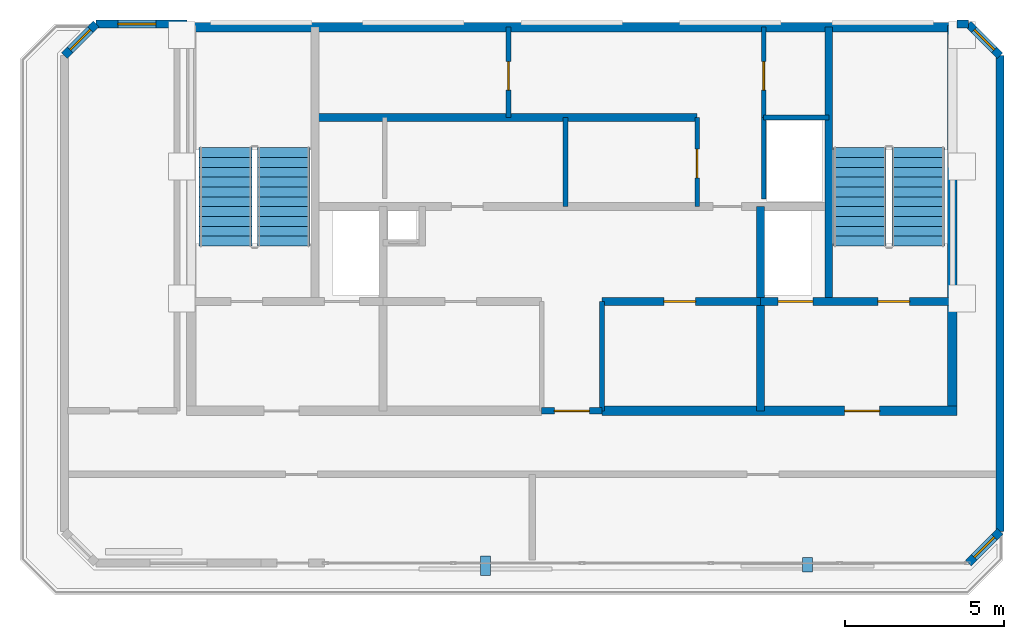
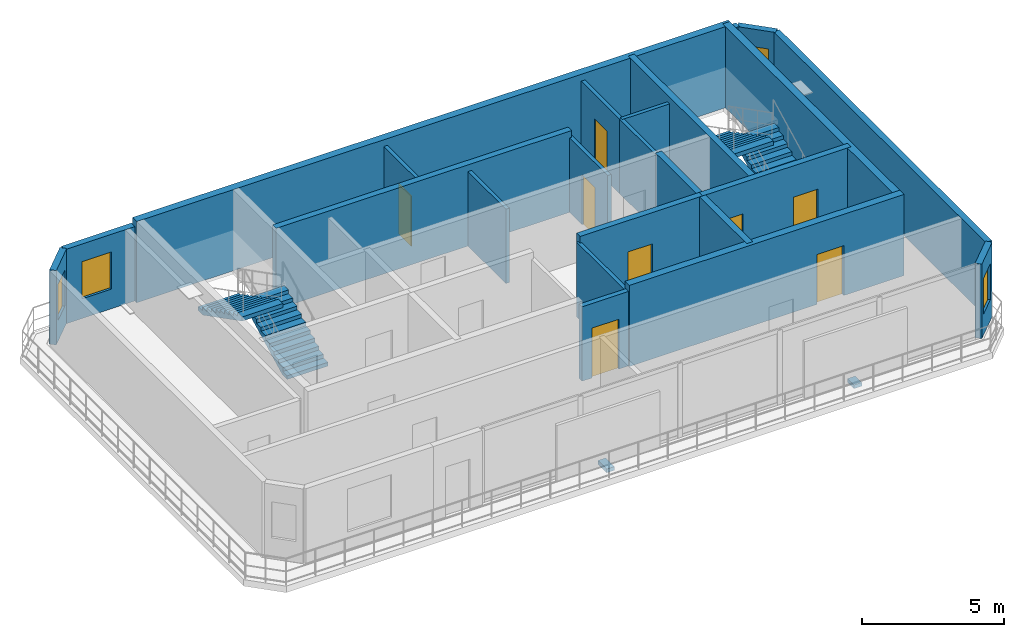
# One storey, part 5 of 6: 22 walls, 8 doors, 4 stair flights, 4 windows, 2 discrete accessories, 12 openings, 2 elements without a shape of their own.
"""IFC4 building model written with IfcOpenShell, lengths in metres."""

from ifc_helpers import new_model, si_unit, direction, frame, frame_2d, origin, origin_2d, place, context, subcontext, project, spatial, polyline, rectangle, outline, extrude, material, layer, layer_set, type_object, element, fill, aggregate, save


model = new_model("IFC4")

# Units and contexts
model_context = context("Model", 3, precision=1e-05, world=origin(), true_north=direction((0.0, 1.0)))
body_context = subcontext(model_context, "Body", "Model", "MODEL_VIEW")
ifc_project = project(units=[si_unit("LENGTHUNIT", "METRE"), si_unit("AREAUNIT", "SQUARE_METRE"), si_unit("VOLUMEUNIT", "CUBIC_METRE"), si_unit("PLANEANGLEUNIT", "RADIAN"), si_unit("MASSUNIT", "GRAM", prefix="KILO")], contexts=[model_context])

# Site, building, storey
site_placement = place(None, origin())
site = spatial("IfcSite", under=ifc_project, at=site_placement, CompositionType="ELEMENT")
building_placement = place(site_placement, origin())
building = spatial("IfcBuilding", under=site, at=building_placement, Name="Catumbela Crestline Tower", CompositionType="ELEMENT")
storey_placement = place(building_placement, frame((0.0, 0.0, 304.5)))
storey = spatial("IfcBuildingStorey", under=building, at=storey_placement, Name="L78", CompositionType="ELEMENT", Elevation=304.5)

# Walls
ifc_material_1 = material(Name="Concrete C50/60", Category="concrete")
ifc_layer_1 = layer(ifc_material_1, 0.25, Name="Concrete C50/60")
ifc_layer_set_1 = layer_set([ifc_layer_1], Name="Concrete C50/60")
wall_type_1 = type_object("IfcWallType", Name="CW-250D", PredefinedType="SHEAR", material=ifc_layer_set_1)
wall_1_placement = place(storey_placement, frame((36.1, 34.25, 0.0), z_axis=(0.0, 0.0, 1.0), x_axis=(0.0, 1.0, 0.0)))
element("IfcWall", 1, at=wall_1_placement, inside=storey, type_object=wall_type_1, Name="L78 Structural Core Shear Wall EWEB", PredefinedType="SHEAR", context=body_context, shape_type="SweptSolid", body=[
    extrude(rectangle(XDim=8.65, YDim=0.25, at=frame_2d((4.325, 0.0))), origin(), (0.0, 0.0, 1.0), 3.5),
])
wall_2_placement = place(storey_placement, frame((33.95, 30.8, 0.0), z_axis=(0.0, 0.0, 1.0), x_axis=(0.0, 1.0, 0.0)))
element("IfcWall", 2, at=wall_2_placement, inside=storey, type_object=wall_type_1, Name="L78 Structural Core Shear Wall FFE", PredefinedType="SHEAR", context=body_context, shape_type="SweptSolid", body=[
    extrude(rectangle(XDim=6.45, YDim=0.25, at=frame_2d((3.225, 0.0))), origin(), (0.0, 0.0, 1.0), 3.5),
])

# Wall, openings, doors
wall_3_placement = place(storey_placement, frame((33.95, 34.25, 0.0), z_axis=(0.0, 0.0, 1.0), x_axis=(1.0, 0.0, 0.0)))
wall_3 = element("IfcWall", 3, at=wall_3_placement, inside=storey, type_object=wall_type_1, Name="L78 Structural Core Shear Wall ST2S", PredefinedType="SHEAR", context=body_context, shape_type="SweptSolid", body=[
    extrude(rectangle(XDim=6.05, YDim=0.25, at=frame_2d((3.025, 0.0))), origin(), (0.0, 0.0, 1.0), 3.5),
])
opening_1_placement = place(wall_3_placement, frame((3.7, 0.0, 0.0)))
opening_1 = element("IfcOpeningElement", 4, at=opening_1_placement, cuts=wall_3, Name="Opening DF9-100", PredefinedType="OPENING", context=body_context, shape_type="SweptSolid", body=[
    extrude(rectangle(XDim=1.0, YDim=2.15, at=frame_2d((0.5, 1.075))), frame((0.0, 0.135, 0.0), z_axis=(0.0, -1.0, 0.0), x_axis=(1.0, 0.0, 0.0)), (0.0, 0.0, 1.0), 0.27),
])
opening_2_placement = place(wall_3_placement, frame((0.55, 0.0, 0.0)))
opening_2 = element("IfcOpeningElement", 5, at=opening_2_placement, cuts=wall_3, Name="Opening LD-110", PredefinedType="OPENING", context=body_context, shape_type="SweptSolid", body=[
    extrude(rectangle(XDim=1.1, YDim=2.15, at=frame_2d((0.55, 1.075))), frame((0.0, 0.135, 0.0), z_axis=(0.0, -1.0, 0.0), x_axis=(1.0, 0.0, 0.0)), (0.0, 0.0, 1.0), 0.27),
])
ifc_material_2 = material(Name="Stainless steel EN 1.4401", Category="steel")
door_type_1 = type_object("IfcDoorType", Name="DF9-100", OperationType="NOTDEFINED", PredefinedType="DOOR", material=ifc_material_2)
door_1_placement = place(opening_1_placement, origin())
door_1 = element("IfcDoor", 6, at=door_1_placement, inside=storey, type_object=door_type_1, Name="L78 Interior Door DR-L78-ST02", OperationType="SINGLE_SWING_RIGHT", OverallHeight=2.15, OverallWidth=1.0, PredefinedType="DOOR", context=body_context, shape_type="SweptSolid", body=[
    extrude(rectangle(XDim=1.0, YDim=2.15, at=frame_2d((0.5, 1.075))), frame((0.0, 0.025, 0.0), z_axis=(0.0, -1.0, 0.0), x_axis=(1.0, 0.0, 0.0)), (0.0, 0.0, 1.0), 0.05),
])
fill(opening_1, door_1)
door_type_2 = type_object("IfcDoorType", Name="LD-110", OperationType="NOTDEFINED", PredefinedType="DOOR", material=ifc_material_2)
door_2_placement = place(opening_2_placement, origin())
door_2 = element("IfcDoor", 7, at=door_2_placement, inside=storey, type_object=door_type_2, Name="L78 Lift Landing Sliding Door FL-02", OperationType="DOUBLE_DOOR_SLIDING", OverallHeight=2.15, OverallWidth=1.1, PredefinedType="DOOR", context=body_context, shape_type="SweptSolid", body=[
    extrude(rectangle(XDim=1.1, YDim=2.15, at=frame_2d((0.55, 1.075))), frame((0.0, 0.025, 0.0), z_axis=(0.0, -1.0, 0.0), x_axis=(1.0, 0.0, 0.0)), (0.0, 0.0, 1.0), 0.05),
])
fill(opening_2, door_2)

# Wall, opening, door
wall_4_placement = place(storey_placement, frame((28.95, 34.25, 0.0), z_axis=(0.0, 0.0, 1.0), x_axis=(1.0, 0.0, 0.0)))
wall_4 = element("IfcWall", 8, at=wall_4_placement, inside=storey, type_object=wall_type_1, Name="L78 Structural Core Shear Wall LIFTS-E", PredefinedType="SHEAR", context=body_context, shape_type="SweptSolid", body=[
    extrude(rectangle(XDim=5.0, YDim=0.25, at=frame_2d((2.5, 0.0))), origin(), (0.0, 0.0, 1.0), 3.5),
])
opening_3_placement = place(wall_4_placement, frame((1.95, 0.0, 0.0)))
opening_3 = element("IfcOpeningElement", 9, at=opening_3_placement, cuts=wall_4, Name="Opening DF9-100", PredefinedType="OPENING", context=body_context, shape_type="SweptSolid", body=[
    extrude(rectangle(XDim=1.0, YDim=2.15, at=frame_2d((0.5, 1.075))), frame((0.0, 0.135, 0.0), z_axis=(0.0, -1.0, 0.0), x_axis=(1.0, 0.0, 0.0)), (0.0, 0.0, 1.0), 0.27),
])
door_3_placement = place(opening_3_placement, origin())
door_3 = element("IfcDoor", 10, at=door_3_placement, inside=storey, type_object=door_type_1, Name="L78 Interior Door DR-L78-RECL2", OperationType="SINGLE_SWING_RIGHT", OverallHeight=2.15, OverallWidth=1.0, PredefinedType="DOOR", context=body_context, shape_type="SweptSolid", body=[
    extrude(rectangle(XDim=1.0, YDim=2.15, at=frame_2d((0.5, 1.075))), frame((0.0, 0.025, 0.0), z_axis=(0.0, -1.0, 0.0), x_axis=(1.0, 0.0, 0.0)), (0.0, 0.0, 1.0), 0.05),
])
fill(opening_3, door_3)

# Walls
wall_5_placement = place(storey_placement, frame((19.9, 40.05, 0.0), z_axis=(0.0, 0.0, 1.0), x_axis=(1.0, 0.0, 0.0)))
element("IfcWall", 11, at=wall_5_placement, inside=storey, type_object=wall_type_1, Name="L78 Structural Core Shear Wall COREN", PredefinedType="SHEAR", context=body_context, shape_type="SweptSolid", body=[
    extrude(rectangle(XDim=12.05, YDim=0.25, at=frame_2d((6.025, 0.0))), origin(), (0.0, 0.0, 1.0), 3.5),
])
ifc_material_3 = material(Name="Concrete C45/55", Category="concrete")
ifc_layer_2 = layer(ifc_material_3, 0.3, Name="Concrete C45/55")
ifc_layer_set_2 = layer_set([ifc_layer_2], Name="Concrete C45/55")
wall_type_2 = type_object("IfcWallType", Name="CW-300C", PredefinedType="SHEAR", material=ifc_layer_set_2)
wall_6_placement = place(storey_placement, frame((40.0, 30.65, 0.0), z_axis=(0.0, 0.0, 1.0), x_axis=(0.0, 1.0, 0.0)))
element("IfcWall", 12, at=wall_6_placement, inside=storey, type_object=wall_type_2, Name="L78 Structural Core Shear Wall E", PredefinedType="SHEAR", context=body_context, shape_type="SweptSolid", body=[
    extrude(rectangle(XDim=12.3, YDim=0.3, at=frame_2d((6.15, 0.0))), origin(), (0.0, 0.0, 1.0), 3.5),
])

# Wall, opening, door
wall_7_placement = place(storey_placement, frame((28.95, 30.8, 0.0), z_axis=(0.0, 0.0, 1.0), x_axis=(1.0, 0.0, 0.0)))
wall_7 = element("IfcWall", 13, at=wall_7_placement, inside=storey, type_object=wall_type_2, Name="L78 Structural Core Shear Wall SE", PredefinedType="SHEAR", context=body_context, shape_type="SweptSolid", body=[
    extrude(rectangle(XDim=11.2, YDim=0.3, at=frame_2d((5.6, 0.0))), origin(), (0.0, 0.0, 1.0), 3.5),
])
opening_4_placement = place(wall_7_placement, frame((7.65, 0.0, 0.0)))
opening_4 = element("IfcOpeningElement", 14, at=opening_4_placement, cuts=wall_7, Name="Opening DF9-110", PredefinedType="OPENING", context=body_context, shape_type="SweptSolid", body=[
    extrude(rectangle(XDim=1.1, YDim=2.15, at=frame_2d((0.55, 1.075))), frame((0.0, 0.16, 0.0), z_axis=(0.0, -1.0, 0.0), x_axis=(1.0, 0.0, 0.0)), (0.0, 0.0, 1.0), 0.32),
])
door_type_3 = type_object("IfcDoorType", Name="DF9-110", OperationType="NOTDEFINED", PredefinedType="DOOR", material=ifc_material_2)
door_4_placement = place(opening_4_placement, origin())
door_4 = element("IfcDoor", 15, at=door_4_placement, inside=storey, type_object=door_type_3, Name="L78 Interior Door DR-L78-FFE-S", OperationType="SINGLE_SWING_RIGHT", OverallHeight=2.15, OverallWidth=1.1, PredefinedType="DOOR", context=body_context, shape_type="SweptSolid", body=[
    extrude(rectangle(XDim=1.1, YDim=2.15, at=frame_2d((0.55, 1.075))), frame((0.0, 0.025, 0.0), z_axis=(0.0, -1.0, 0.0), x_axis=(1.0, 0.0, 0.0)), (0.0, 0.0, 1.0), 0.05),
])
fill(opening_4, door_4)

# Wall
ifc_layer_3 = layer(ifc_material_3, 0.3, Name="Concrete C45/55")
ifc_layer_set_3 = layer_set([ifc_layer_3], Name="Concrete C45/55")
wall_type_3 = type_object("IfcWallType", Name="CW-300E", PredefinedType="SHEAR", material=ifc_layer_set_3)
wall_8_placement = place(storey_placement, frame((15.85, 42.9, 0.0), z_axis=(0.0, 0.0, 1.0), x_axis=(1.0, 0.0, 0.0)))
element("IfcWall", 16, at=wall_8_placement, inside=storey, type_object=wall_type_3, Name="L78 Structural Core Shear Wall N", PredefinedType="SHEAR", context=body_context, shape_type="SweptSolid", body=[
    extrude(rectangle(XDim=24.3, YDim=0.3, at=frame_2d((12.15, 0.0))), origin(), (0.0, 0.0, 1.0), 3.5),
])

# Wall, opening, door
ifc_material_4 = material(Name="Acoustic gypsum and mineral-wool partition")
ifc_layer_4 = layer(ifc_material_4, 0.2, Name="Acoustic gypsum and mineral-wool partition")
ifc_layer_set_4 = layer_set([ifc_layer_4], Name="Acoustic gypsum and mineral-wool partition")
wall_type_4 = type_object("IfcWallType", Name="WC-200", PredefinedType="PARTITIONING", material=ifc_layer_set_4)
wall_9_placement = place(storey_placement, frame((27.05, 30.8, 0.0), z_axis=(0.0, 0.0, 1.0), x_axis=(1.0, 0.0, 0.0)))
wall_9 = element("IfcWall", 17, at=wall_9_placement, inside=storey, type_object=wall_type_4, Name="L78 Interior Partition PW-L78-CLOBS", PredefinedType="PARTITIONING", context=body_context, shape_type="SweptSolid", body=[
    extrude(rectangle(XDim=1.9, YDim=0.2, at=frame_2d((0.95, 0.0))), origin(), (0.0, 0.0, 1.0), 3.21),
])
opening_5_placement = place(wall_9_placement, frame((0.4, 0.0, 0.0)))
opening_5 = element("IfcOpeningElement", 18, at=opening_5_placement, cuts=wall_9, Name="Opening DF9-110", PredefinedType="OPENING", context=body_context, shape_type="SweptSolid", body=[
    extrude(rectangle(XDim=1.1, YDim=2.15, at=frame_2d((0.55, 1.075))), frame((0.0, 0.11, 0.0), z_axis=(0.0, -1.0, 0.0), x_axis=(1.0, 0.0, 0.0)), (0.0, 0.0, 1.0), 0.22),
])
door_5_placement = place(opening_5_placement, origin())
door_5 = element("IfcDoor", 19, at=door_5_placement, inside=storey, type_object=door_type_3, Name="L78 Interior Door DR-L78-CLOBS", OperationType="SINGLE_SWING_LEFT", OverallHeight=2.15, OverallWidth=1.1, PredefinedType="DOOR", context=body_context, shape_type="SweptSolid", body=[
    extrude(rectangle(XDim=1.1, YDim=2.15, at=frame_2d((0.55, 1.075))), frame((0.0, 0.025, 0.0), z_axis=(0.0, -1.0, 0.0), x_axis=(1.0, 0.0, 0.0)), (0.0, 0.0, 1.0), 0.05),
])
fill(opening_5, door_5)

# Wall, opening, window
ifc_material_5 = material(Name="Angolan grey-ochre granite", Category="masonry")
ifc_layer_5 = layer(ifc_material_5, 0.25, Name="Angolan grey-ochre granite")
ifc_layer_set_5 = layer_set([ifc_layer_5], Name="Angolan grey-ochre granite")
wall_type_5 = type_object("IfcWallType", Name="WE-250", PredefinedType="STANDARD", material=ifc_layer_set_5)
wall_10_placement = place(storey_placement, frame((40.5, 26.0, 0.0), z_axis=(0.0, 0.0, 1.0), x_axis=(0.707106781187, 0.707106781187, 0.0)))
wall_10 = element("IfcWall", 20, at=wall_10_placement, inside=storey, type_object=wall_type_5, Name="L78 Granite Punched Window Wall 1-1", PredefinedType="STANDARD", context=body_context, shape_type="SweptSolid", body=[
    extrude(rectangle(XDim=1.4142, YDim=0.25, at=frame_2d((0.7071, 0.0))), origin(), (0.0, 0.0, 1.0), 3.21),
])
opening_6_placement = place(wall_10_placement, frame((0.2571, 0.0, 0.9)))
opening_6 = element("IfcOpeningElement", 21, at=opening_6_placement, cuts=wall_10, Name="Opening WN-03", PredefinedType="OPENING", context=body_context, shape_type="SweptSolid", body=[
    extrude(rectangle(XDim=0.9, YDim=1.55, at=frame_2d((0.45, 0.775))), frame((0.0, 0.135, 0.0), z_axis=(0.0, -1.0, 0.0), x_axis=(1.0, 0.0, 0.0)), (0.0, 0.0, 1.0), 0.27),
])
ifc_material_6 = material(Name="Low-E laminated solar-control double glazing", Category="glass")
window_type_1 = type_object("IfcWindowType", Name="WO-0900", PartitioningType="SINGLE_PANEL", PredefinedType="WINDOW", material=ifc_material_6)
window_1_placement = place(opening_6_placement, origin())
window_1 = element("IfcWindow", 22, at=window_1_placement, inside=storey, type_object=window_type_1, Name="L78 Facade Vision Window 636", OverallHeight=1.55, OverallWidth=0.9, PartitioningType="SINGLE_PANEL", PredefinedType="WINDOW", context=body_context, shape_type="SweptSolid", body=[
    extrude(rectangle(XDim=0.9, YDim=1.55, at=frame_2d((0.45, 0.775))), frame((0.0, 0.03, 0.0), z_axis=(0.0, -1.0, 0.0), x_axis=(1.0, 0.0, 0.0)), (0.0, 0.0, 1.0), 0.06),
])
fill(opening_6, window_1)

# Wall
wall_11_placement = place(storey_placement, frame((41.5, 27.0, 0.0), z_axis=(0.0, 0.0, 1.0), x_axis=(0.0, 1.0, 0.0)))
element("IfcWall", 23, at=wall_11_placement, inside=storey, type_object=wall_type_5, Name="L78 Granite Punched Window Wall 2-1", PredefinedType="STANDARD", context=body_context, shape_type="SweptSolid", body=[
    extrude(rectangle(XDim=15.0, YDim=0.25, at=frame_2d((7.5, 0.0))), origin(), (0.0, 0.0, 1.0), 3.21),
])

# Wall, opening, window
wall_12_placement = place(storey_placement, frame((41.5, 42.0, 0.0), z_axis=(0.0, 0.0, 1.0), x_axis=(-0.707106781187, 0.707106781187, 0.0)))
wall_12 = element("IfcWall", 24, at=wall_12_placement, inside=storey, type_object=wall_type_5, Name="L78 Granite Punched Window Wall 3-1", PredefinedType="STANDARD", context=body_context, shape_type="SweptSolid", body=[
    extrude(rectangle(XDim=1.4142, YDim=0.25, at=frame_2d((0.7071, 0.0))), origin(), (0.0, 0.0, 1.0), 3.21),
])
opening_7_placement = place(wall_12_placement, frame((0.2571, 0.0, 0.9)))
opening_7 = element("IfcOpeningElement", 25, at=opening_7_placement, cuts=wall_12, Name="Opening WN-03", PredefinedType="OPENING", context=body_context, shape_type="SweptSolid", body=[
    extrude(rectangle(XDim=0.9, YDim=1.55, at=frame_2d((0.45, 0.775))), frame((0.0, 0.135, 0.0), z_axis=(0.0, -1.0, 0.0), x_axis=(1.0, 0.0, 0.0)), (0.0, 0.0, 1.0), 0.27),
])
window_2_placement = place(opening_7_placement, origin())
window_2 = element("IfcWindow", 26, at=window_2_placement, inside=storey, type_object=window_type_1, Name="L78 Facade Vision Window 637", OverallHeight=1.55, OverallWidth=0.9, PartitioningType="SINGLE_PANEL", PredefinedType="WINDOW", context=body_context, shape_type="SweptSolid", body=[
    extrude(rectangle(XDim=0.9, YDim=1.55, at=frame_2d((0.45, 0.775))), frame((0.0, 0.03, 0.0), z_axis=(0.0, -1.0, 0.0), x_axis=(1.0, 0.0, 0.0)), (0.0, 0.0, 1.0), 0.06),
])
fill(opening_7, window_2)

# Wall
wall_13_placement = place(storey_placement, frame((40.5, 43.0, 0.0), z_axis=(0.0, 0.0, 1.0), x_axis=(-1.0, 0.0, 0.0)))
element("IfcWall", 27, at=wall_13_placement, inside=storey, type_object=wall_type_5, Name="L78 Granite Punched Window Wall 4-1", PredefinedType="STANDARD", context=body_context, shape_type="SweptSolid", body=[
    extrude(rectangle(XDim=0.36, YDim=0.25, at=frame_2d((0.18, 0.0))), origin(), (0.0, 0.0, 1.0), 3.21),
])

# Wall, opening, window
wall_14_placement = place(storey_placement, frame((15.86, 43.0, 0.0), z_axis=(0.0, 0.0, 1.0), x_axis=(-1.0, 0.0, 0.0)))
wall_14 = element("IfcWall", 28, at=wall_14_placement, inside=storey, type_object=wall_type_5, Name="L78 Granite Punched Window Wall 4-2", PredefinedType="STANDARD", context=body_context, shape_type="SweptSolid", body=[
    extrude(rectangle(XDim=2.86, YDim=0.25, at=frame_2d((1.43, 0.0))), origin(), (0.0, 0.0, 1.0), 3.21),
])
opening_8_placement = place(wall_14_placement, frame((0.975, 0.0, 0.85)))
opening_8 = element("IfcOpeningElement", 29, at=opening_8_placement, cuts=wall_14, Name="Opening WN-02", PredefinedType="OPENING", context=body_context, shape_type="SweptSolid", body=[
    extrude(rectangle(XDim=1.2, YDim=1.6, at=frame_2d((0.6, 0.8))), frame((0.0, 0.135, 0.0), z_axis=(0.0, -1.0, 0.0), x_axis=(1.0, 0.0, 0.0)), (0.0, 0.0, 1.0), 0.27),
])
window_type_2 = type_object("IfcWindowType", Name="WO-1200", PartitioningType="SINGLE_PANEL", PredefinedType="WINDOW", material=ifc_material_6)
window_3_placement = place(opening_8_placement, origin())
window_3 = element("IfcWindow", 30, at=window_3_placement, inside=storey, type_object=window_type_2, Name="L78 Facade Vision Window 638", OverallHeight=1.6, OverallWidth=1.2, PartitioningType="SINGLE_PANEL", PredefinedType="WINDOW", context=body_context, shape_type="SweptSolid", body=[
    extrude(rectangle(XDim=1.2, YDim=1.6, at=frame_2d((0.6, 0.8))), frame((0.0, 0.03, 0.0), z_axis=(0.0, -1.0, 0.0), x_axis=(1.0, 0.0, 0.0)), (0.0, 0.0, 1.0), 0.06),
])
fill(opening_8, window_3)

wall_15_placement = place(storey_placement, frame((13.0, 43.0, 0.0), z_axis=(0.0, 0.0, 1.0), x_axis=(-0.707106781187, -0.707106781187, 0.0)))
wall_15 = element("IfcWall", 31, at=wall_15_placement, inside=storey, type_object=wall_type_5, Name="L78 Granite Punched Window Wall 5-1", PredefinedType="STANDARD", context=body_context, shape_type="SweptSolid", body=[
    extrude(rectangle(XDim=1.4142, YDim=0.25, at=frame_2d((0.7071, 0.0))), origin(), (0.0, 0.0, 1.0), 3.21),
])
opening_9_placement = place(wall_15_placement, frame((0.2571, 0.0, 0.9)))
opening_9 = element("IfcOpeningElement", 32, at=opening_9_placement, cuts=wall_15, Name="Opening WN-03", PredefinedType="OPENING", context=body_context, shape_type="SweptSolid", body=[
    extrude(rectangle(XDim=0.9, YDim=1.55, at=frame_2d((0.45, 0.775))), frame((0.0, 0.135, 0.0), z_axis=(0.0, -1.0, 0.0), x_axis=(1.0, 0.0, 0.0)), (0.0, 0.0, 1.0), 0.27),
])
window_4_placement = place(opening_9_placement, origin())
window_4 = element("IfcWindow", 33, at=window_4_placement, inside=storey, type_object=window_type_1, Name="L78 Facade Vision Window 639", OverallHeight=1.55, OverallWidth=0.9, PartitioningType="SINGLE_PANEL", PredefinedType="WINDOW", context=body_context, shape_type="SweptSolid", body=[
    extrude(rectangle(XDim=0.9, YDim=1.55, at=frame_2d((0.45, 0.775))), frame((0.0, 0.03, 0.0), z_axis=(0.0, -1.0, 0.0), x_axis=(1.0, 0.0, 0.0)), (0.0, 0.0, 1.0), 0.06),
])
fill(opening_9, window_4)

# Wall
ifc_layer_6 = layer(ifc_material_4, 0.15, Name="Acoustic gypsum and mineral-wool partition")
ifc_layer_set_6 = layer_set([ifc_layer_6], Name="Acoustic gypsum and mineral-wool partition")
wall_type_6 = type_object("IfcWallType", Name="WP-150", PredefinedType="PARTITIONING", material=ifc_layer_set_6)
wall_16_placement = place(storey_placement, frame((34.05, 40.05, 0.0), z_axis=(0.0, 0.0, 1.0), x_axis=(1.0, 0.0, 0.0)))
element("IfcWall", 34, at=wall_16_placement, inside=storey, type_object=wall_type_6, Name="L78 Interior Partition PW-L78-CR-ES", PredefinedType="PARTITIONING", context=body_context, shape_type="SweptSolid", body=[
    extrude(rectangle(XDim=2.05, YDim=0.15, at=frame_2d((1.025, 0.0))), origin(), (0.0, 0.0, 1.0), 3.21),
])

# Wall, opening, door
wall_17_placement = place(storey_placement, frame((34.05, 40.05, 0.0), z_axis=(0.0, 0.0, 1.0), x_axis=(0.0, 1.0, 0.0)))
wall_17 = element("IfcWall", 35, at=wall_17_placement, inside=storey, type_object=wall_type_6, Name="L78 Interior Partition PW-L78-CR-EW", PredefinedType="PARTITIONING", context=body_context, shape_type="SweptSolid", body=[
    extrude(rectangle(XDim=2.85, YDim=0.15, at=frame_2d((1.425, 0.0))), origin(), (0.0, 0.0, 1.0), 3.21),
])
opening_10_placement = place(wall_17_placement, frame((0.865, 0.0, 0.0)))
opening_10 = element("IfcOpeningElement", 36, at=opening_10_placement, cuts=wall_17, Name="Opening DF9-090", PredefinedType="OPENING", context=body_context, shape_type="SweptSolid", body=[
    extrude(rectangle(XDim=0.9, YDim=2.15, at=frame_2d((0.45, 1.075))), frame((0.0, 0.085, 0.0), z_axis=(0.0, -1.0, 0.0), x_axis=(1.0, 0.0, 0.0)), (0.0, 0.0, 1.0), 0.17),
])
door_type_4 = type_object("IfcDoorType", Name="DF9-090", OperationType="NOTDEFINED", PredefinedType="DOOR", material=ifc_material_2)
door_6_placement = place(opening_10_placement, origin())
door_6 = element("IfcDoor", 37, at=door_6_placement, inside=storey, type_object=door_type_4, Name="L78 Interior Door DR-L78-CREAST", OperationType="SINGLE_SWING_RIGHT", OverallHeight=2.15, OverallWidth=0.9, PredefinedType="DOOR", context=body_context, shape_type="SweptSolid", body=[
    extrude(rectangle(XDim=0.9, YDim=2.15, at=frame_2d((0.45, 1.075))), frame((0.0, 0.025, 0.0), z_axis=(0.0, -1.0, 0.0), x_axis=(1.0, 0.0, 0.0)), (0.0, 0.0, 1.0), 0.05),
])
fill(opening_10, door_6)

wall_18_placement = place(storey_placement, frame((26.0, 40.05, 0.0), z_axis=(0.0, 0.0, 1.0), x_axis=(0.0, 1.0, 0.0)))
wall_18 = element("IfcWall", 38, at=wall_18_placement, inside=storey, type_object=wall_type_6, Name="L78 Interior Partition PW-L78-CR-WW", PredefinedType="PARTITIONING", context=body_context, shape_type="SweptSolid", body=[
    extrude(rectangle(XDim=2.85, YDim=0.15, at=frame_2d((1.425, 0.0))), origin(), (0.0, 0.0, 1.0), 3.21),
])
opening_11_placement = place(wall_18_placement, frame((0.865, 0.0, 0.0)))
opening_11 = element("IfcOpeningElement", 39, at=opening_11_placement, cuts=wall_18, Name="Opening DF9-090", PredefinedType="OPENING", context=body_context, shape_type="SweptSolid", body=[
    extrude(rectangle(XDim=0.9, YDim=2.15, at=frame_2d((0.45, 1.075))), frame((0.0, 0.085, 0.0), z_axis=(0.0, -1.0, 0.0), x_axis=(1.0, 0.0, 0.0)), (0.0, 0.0, 1.0), 0.17),
])
door_7_placement = place(opening_11_placement, origin())
door_7 = element("IfcDoor", 40, at=door_7_placement, inside=storey, type_object=door_type_4, Name="L78 Interior Door DR-L78-CRWEST", OperationType="SINGLE_SWING_LEFT", OverallHeight=2.15, OverallWidth=0.9, PredefinedType="DOOR", context=body_context, shape_type="SweptSolid", body=[
    extrude(rectangle(XDim=0.9, YDim=2.15, at=frame_2d((0.45, 1.075))), frame((0.0, 0.025, 0.0), z_axis=(0.0, -1.0, 0.0), x_axis=(1.0, 0.0, 0.0)), (0.0, 0.0, 1.0), 0.05),
])
fill(opening_11, door_7)

# Walls
ifc_layer_7 = layer(ifc_material_4, 0.15, Name="Acoustic gypsum and mineral-wool partition")
ifc_layer_set_7 = layer_set([ifc_layer_7], Name="Acoustic gypsum and mineral-wool partition")
wall_type_7 = type_object("IfcWallType", Name="WS-150", PredefinedType="PLUMBINGWALL", material=ifc_layer_set_7)
wall_19_placement = place(storey_placement, frame((28.95, 30.8, 0.0), z_axis=(0.0, 0.0, 1.0), x_axis=(0.0, 1.0, 0.0)))
element("IfcWall", 41, at=wall_19_placement, inside=storey, type_object=wall_type_7, Name="L78 Interior Partition PW-L78-THRE", PredefinedType="PLUMBINGWALL", context=body_context, shape_type="SweptSolid", body=[
    extrude(rectangle(XDim=3.45, YDim=0.15, at=frame_2d((1.725, 0.0))), origin(), (0.0, 0.0, 1.0), 3.21),
])
wall_20_placement = place(storey_placement, frame((27.8, 37.25, 0.0), z_axis=(0.0, 0.0, 1.0), x_axis=(0.0, 1.0, 0.0)))
element("IfcWall", 42, at=wall_20_placement, inside=storey, type_object=wall_type_7, Name="L78 Interior Partition PW-L78-SHH3", PredefinedType="PLUMBINGWALL", context=body_context, shape_type="SweptSolid", body=[
    extrude(rectangle(XDim=2.8, YDim=0.15, at=frame_2d((1.4, 0.0))), origin(), (0.0, 0.0, 1.0), 3.21),
])

# Wall, opening, door
wall_21_placement = place(storey_placement, frame((31.95, 37.25, 0.0), z_axis=(0.0, 0.0, 1.0), x_axis=(0.0, 1.0, 0.0)))
wall_21 = element("IfcWall", 43, at=wall_21_placement, inside=storey, type_object=wall_type_7, Name="L78 Interior Partition PW-L78-SHEX2E", PredefinedType="PLUMBINGWALL", context=body_context, shape_type="SweptSolid", body=[
    extrude(rectangle(XDim=2.8, YDim=0.15, at=frame_2d((1.4, 0.0))), origin(), (0.0, 0.0, 1.0), 3.21),
])
opening_12_placement = place(wall_21_placement, frame((0.9, 0.0, 0.0)))
opening_12 = element("IfcOpeningElement", 44, at=opening_12_placement, cuts=wall_21, Name="Opening DF9-090", PredefinedType="OPENING", context=body_context, shape_type="SweptSolid", body=[
    extrude(rectangle(XDim=0.9, YDim=2.15, at=frame_2d((0.45, 1.075))), frame((0.0, 0.085, 0.0), z_axis=(0.0, -1.0, 0.0), x_axis=(1.0, 0.0, 0.0)), (0.0, 0.0, 1.0), 0.17),
])
door_8_placement = place(opening_12_placement, origin())
door_8 = element("IfcDoor", 45, at=door_8_placement, inside=storey, type_object=door_type_4, Name="L78 Interior Door DR-L78-RECEX", OperationType="SINGLE_SWING_LEFT", OverallHeight=2.15, OverallWidth=0.9, PredefinedType="DOOR", context=body_context, shape_type="SweptSolid", body=[
    extrude(rectangle(XDim=0.9, YDim=2.15, at=frame_2d((0.45, 1.075))), frame((0.0, 0.025, 0.0), z_axis=(0.0, -1.0, 0.0), x_axis=(1.0, 0.0, 0.0)), (0.0, 0.0, 1.0), 0.05),
])
fill(opening_12, door_8)

# Wall
wall_22_placement = place(storey_placement, frame((34.05, 37.4734, 0.0), z_axis=(0.0, 0.0, 1.0), x_axis=(0.0, 1.0, 0.0)))
element("IfcWall", 46, at=wall_22_placement, inside=storey, type_object=wall_type_7, Name="L78 Interior Partition PW-L78-RISW", PredefinedType="PLUMBINGWALL", context=body_context, shape_type="SweptSolid", body=[
    extrude(rectangle(XDim=2.5766, YDim=0.15, at=frame_2d((1.2883, 0.0))), origin(), (0.0, 0.0, 1.0), 3.21),
])

# Stair, stair flights
stair_type = type_object("IfcStairType", Name="ST-DLG", PredefinedType="HALF_TURN_STAIR", material=ifc_material_3)
stair_1_placement = place(storey_placement, origin())
stair_1 = element("IfcStair", 47, at=stair_1_placement, inside=storey, type_object=stair_type, Name="L78 West Core Pressurised Exit Stair ST-01", PredefinedType="HALF_TURN_STAIR")
stair_flight_type = type_object("IfcStairFlightType", Name="SF-1591", PredefinedType="STRAIGHT", material=ifc_material_3)
stair_flight_1_placement = place(storey_placement, frame((18.92, 36.0, 0.0), z_axis=(0.0, 0.0, 1.0), x_axis=(0.0, 1.0, 0.0)))
stair_flight_1 = element("IfcStairFlight", 48, at=stair_flight_1_placement, type_object=stair_flight_type, Name="ST-01 flight 1", NumberOfRisers=11, NumberOfTreads=10, PredefinedType="STRAIGHT", RiserHeight=0.159090909, TreadLength=0.31, context=body_context, shape_type="SweptSolid", body=[
    extrude(outline(polyline([(0.0, 0.0), (0.0, 0.1591), (0.31, 0.1591), (0.31, 0.3182), (0.62, 0.3182), (0.62, 0.4773), (0.93, 0.4773), (0.93, 0.6364), (1.24, 0.6364), (1.24, 0.7955), (1.55, 0.7955), (1.55, 0.9545), (1.86, 0.9545), (1.86, 1.1136), (2.17, 1.1136), (2.17, 1.2727), (2.48, 1.2727), (2.48, 1.4318), (2.79, 1.4318), (2.79, 1.5909), (3.1, 1.5909), (3.1, 1.75), (3.1, 1.4111), (0.3504, 0.0), (0.0, 0.0)])), frame((0.0, 0.83, 0.0), z_axis=(0.0, -1.0, 0.0), x_axis=(1.0, 0.0, 0.0)), (0.0, 0.0, 1.0), 1.66),
])
stair_flight_2_placement = place(storey_placement, frame((17.08, 39.1, 1.75), z_axis=(0.0, 0.0, 1.0), x_axis=(0.0, -1.0, 0.0)))
stair_flight_2 = element("IfcStairFlight", 49, at=stair_flight_2_placement, type_object=stair_flight_type, Name="ST-01 flight 2", NumberOfRisers=11, NumberOfTreads=10, PredefinedType="STRAIGHT", RiserHeight=0.159090909, TreadLength=0.31, context=body_context, shape_type="SweptSolid", body=[
    extrude(outline(polyline([(0.0, 0.0), (0.0, 0.1591), (0.31, 0.1591), (0.31, 0.3182), (0.62, 0.3182), (0.62, 0.4773), (0.93, 0.4773), (0.93, 0.6364), (1.24, 0.6364), (1.24, 0.7955), (1.55, 0.7955), (1.55, 0.9545), (1.86, 0.9545), (1.86, 1.1136), (2.17, 1.1136), (2.17, 1.2727), (2.48, 1.2727), (2.48, 1.4318), (2.79, 1.4318), (2.79, 1.5909), (3.1, 1.5909), (3.1, 1.75), (3.1, 1.4111), (0.3504, 0.0), (0.0, 0.0)])), frame((0.0, 0.83, 0.0), z_axis=(0.0, -1.0, 0.0), x_axis=(1.0, 0.0, 0.0)), (0.0, 0.0, 1.0), 1.66),
])
aggregate(stair_1, [stair_flight_1, stair_flight_2])

stair_2_placement = place(storey_placement, origin())
stair_2 = element("IfcStair", 50, at=stair_2_placement, inside=storey, type_object=stair_type, Name="L78 East Core Pressurised Exit Stair ST-02", PredefinedType="HALF_TURN_STAIR")
stair_flight_3_placement = place(storey_placement, frame((38.92, 36.0, 0.0), z_axis=(0.0, 0.0, 1.0), x_axis=(0.0, 1.0, 0.0)))
stair_flight_3 = element("IfcStairFlight", 51, at=stair_flight_3_placement, type_object=stair_flight_type, Name="ST-02 flight 1", NumberOfRisers=11, NumberOfTreads=10, PredefinedType="STRAIGHT", RiserHeight=0.159090909, TreadLength=0.31, context=body_context, shape_type="SweptSolid", body=[
    extrude(outline(polyline([(0.0, 0.0), (0.0, 0.1591), (0.31, 0.1591), (0.31, 0.3182), (0.62, 0.3182), (0.62, 0.4773), (0.93, 0.4773), (0.93, 0.6364), (1.24, 0.6364), (1.24, 0.7955), (1.55, 0.7955), (1.55, 0.9545), (1.86, 0.9545), (1.86, 1.1136), (2.17, 1.1136), (2.17, 1.2727), (2.48, 1.2727), (2.48, 1.4318), (2.79, 1.4318), (2.79, 1.5909), (3.1, 1.5909), (3.1, 1.75), (3.1, 1.4111), (0.3504, 0.0), (0.0, 0.0)])), frame((0.0, 0.83, 0.0), z_axis=(0.0, -1.0, 0.0), x_axis=(1.0, 0.0, 0.0)), (0.0, 0.0, 1.0), 1.66),
])
stair_flight_4_placement = place(storey_placement, frame((37.08, 39.1, 1.75), z_axis=(0.0, 0.0, 1.0), x_axis=(0.0, -1.0, 0.0)))
stair_flight_4 = element("IfcStairFlight", 52, at=stair_flight_4_placement, type_object=stair_flight_type, Name="ST-02 flight 2", NumberOfRisers=11, NumberOfTreads=10, PredefinedType="STRAIGHT", RiserHeight=0.159090909, TreadLength=0.31, context=body_context, shape_type="SweptSolid", body=[
    extrude(outline(polyline([(0.0, 0.0), (0.0, 0.1591), (0.31, 0.1591), (0.31, 0.3182), (0.62, 0.3182), (0.62, 0.4773), (0.93, 0.4773), (0.93, 0.6364), (1.24, 0.6364), (1.24, 0.7955), (1.55, 0.7955), (1.55, 0.9545), (1.86, 0.9545), (1.86, 1.1136), (2.17, 1.1136), (2.17, 1.2727), (2.48, 1.2727), (2.48, 1.4318), (2.79, 1.4318), (2.79, 1.5909), (3.1, 1.5909), (3.1, 1.75), (3.1, 1.4111), (0.3504, 0.0), (0.0, 0.0)])), frame((0.0, 0.83, 0.0), z_axis=(0.0, -1.0, 0.0), x_axis=(1.0, 0.0, 0.0)), (0.0, 0.0, 1.0), 1.66),
])
aggregate(stair_2, [stair_flight_3, stair_flight_4])

# Discrete accessories
discrete_accessory_type = type_object("IfcDiscreteAccessoryType", Name="BK-SS1", PredefinedType="BRACKET", material=ifc_material_2)
discrete_accessory_1_placement = place(storey_placement, frame((25.275, 25.915, -0.18), z_axis=(0.0, 0.0, 1.0), x_axis=(1.0, 0.0, 0.0)))
element("IfcDiscreteAccessory", 53, at=discrete_accessory_1_placement, inside=storey, type_object=discrete_accessory_type, Name="L78 Solar Screen Stainless Bracket 947", PredefinedType="BRACKET", context=body_context, shape_type="SweptSolid", body=[
    extrude(rectangle(XDim=0.32, YDim=0.62, at=origin_2d()), origin(), (0.0, 0.0, 1.0), 0.16),
])
discrete_accessory_2_placement = place(storey_placement, frame((35.425, 25.955, -0.18), z_axis=(0.0, 0.0, 1.0), x_axis=(1.0, 0.0, 0.0)))
element("IfcDiscreteAccessory", 54, at=discrete_accessory_2_placement, inside=storey, type_object=discrete_accessory_type, Name="L78 Solar Screen Stainless Bracket 948", PredefinedType="BRACKET", context=body_context, shape_type="SweptSolid", body=[
    extrude(rectangle(XDim=0.32, YDim=0.46, at=origin_2d()), origin(), (0.0, 0.0, 1.0), 0.16),
])

save(model, "model.ifc")
